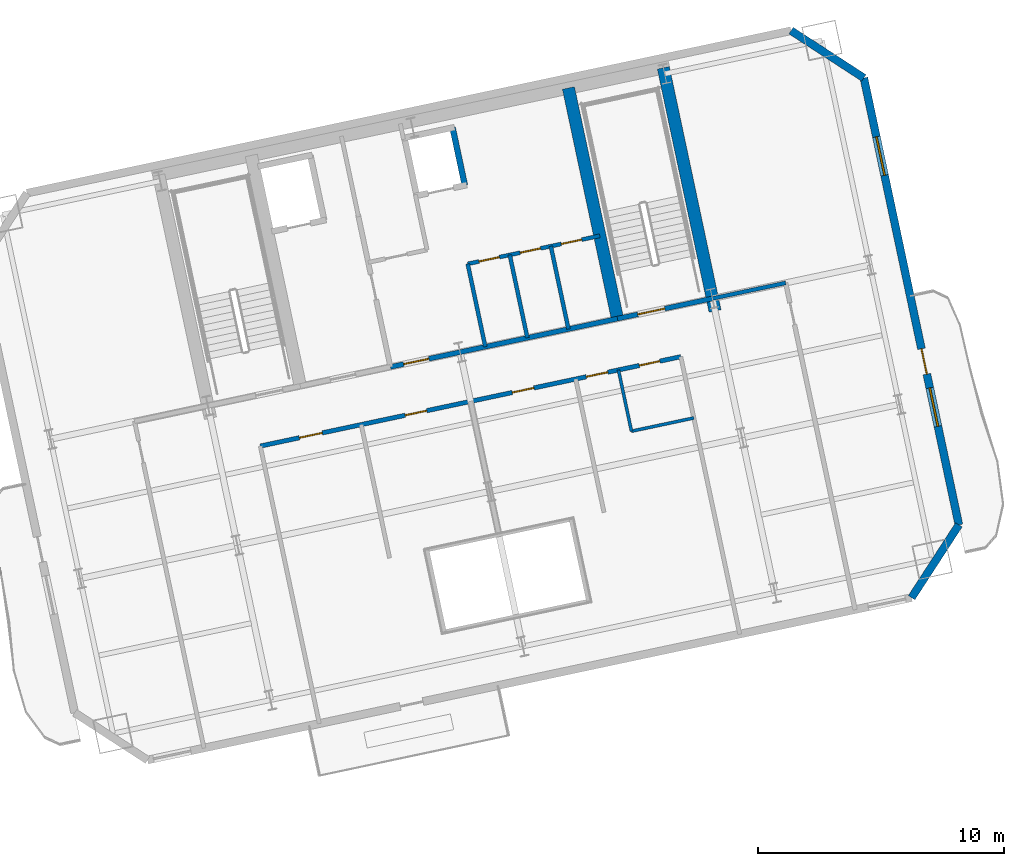
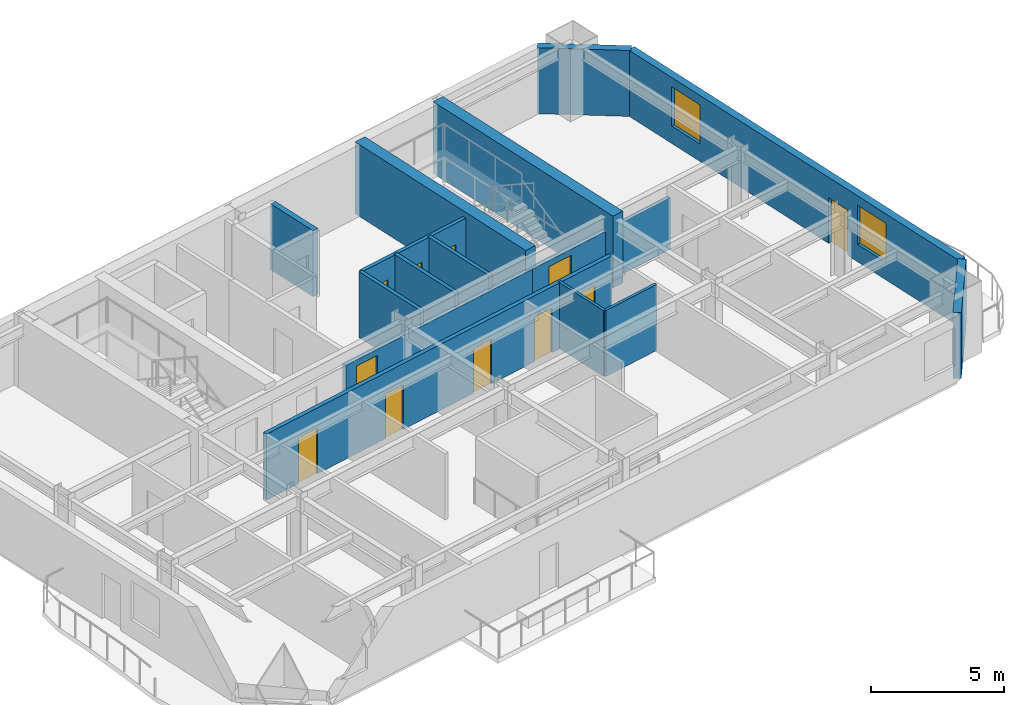
# One storey, part 9 of 14: 16 walls, 11 doors, 2 windows, 13 openings.
"""IFC4 building model written with IfcOpenShell, lengths in metres."""

from ifc_helpers import new_model, si_unit, direction, frame, frame_2d, origin, place, context, subcontext, project, spatial, rectangle, extrude, material, layer, layer_set, type_object, element, fill, save


model = new_model("IFC4")

# Units and contexts
model_context = context("Model", 3, precision=1e-05, world=origin(), true_north=direction((0.0, 1.0)))
body_context = subcontext(model_context, "Body", "Model", "MODEL_VIEW")
ifc_project = project(units=[si_unit("LENGTHUNIT", "METRE"), si_unit("AREAUNIT", "SQUARE_METRE"), si_unit("VOLUMEUNIT", "CUBIC_METRE"), si_unit("PLANEANGLEUNIT", "RADIAN"), si_unit("MASSUNIT", "GRAM", prefix="KILO")], contexts=[model_context])

# Site, building, storey
site_placement = place(None, origin())
site = spatial("IfcSite", under=ifc_project, at=site_placement, CompositionType="ELEMENT")
building_placement = place(site_placement, origin())
building = spatial("IfcBuilding", under=site, at=building_placement, Name="Haevon Station Towers", CompositionType="ELEMENT")
storey_placement = place(building_placement, frame((0.0, 0.0, 116.39990234375)))
storey = spatial("IfcBuildingStorey", under=building, at=storey_placement, Name="L31", CompositionType="ELEMENT", Elevation=116.39990234375)

# Wall, openings, doors
ifc_material_1 = material(Name="Gypsum board on steel stud", Category="steel")
ifc_layer_1 = layer(ifc_material_1, 0.179931640625)
ifc_layer_set_1 = layer_set([ifc_layer_1], Name="Gypsum board on steel stud")
wall_type_1 = type_object("IfcWallType", Name="WL-ACU180", PredefinedType="PARTITIONING", material=ifc_layer_set_1)
wall_1_placement = place(storey_placement, frame((100.890380859375, 35.801025390625, 0.0), z_axis=(0.0, 0.0, 1.0), x_axis=(0.978147538907, 0.207911981691, 0.0)))
wall_1 = element("IfcWall", 1, at=wall_1_placement, inside=storey, type_object=wall_type_1, Name="WL-T2PT-L31-18", PredefinedType="PARTITIONING", context=body_context, shape_type="SweptSolid", body=[
    extrude(rectangle(XDim=17.499755859375, YDim=0.179931640625, at=frame_2d((8.75, 0.0))), origin(), (0.0, 0.0, 1.0), 3.030029296875),
])
opening_1_placement = place(wall_1_placement, frame((1.625, 0.0, 0.0)))
opening_1 = element("IfcOpeningElement", 2, at=opening_1_placement, cuts=wall_1, Name="Opening DR-WL-T2PT-L31-18-01", PredefinedType="OPENING", context=body_context, shape_type="SweptSolid", body=[
    extrude(rectangle(XDim=0.949951171875, YDim=2.10009765625, at=frame_2d((0.47509765625, 1.050048828125))), frame((0.0, 0.099853515625, 0.0), z_axis=(0.0, -1.0, 0.0), x_axis=(1.0, 0.0, 0.0)), (0.0, 0.0, 1.0), 0.199951171875),
])
opening_2_placement = place(wall_1_placement, frame((6.02490234375, 0.0, 0.0)))
opening_2 = element("IfcOpeningElement", 3, at=opening_2_placement, cuts=wall_1, Name="Opening DR-WL-T2PT-L31-18-02", PredefinedType="OPENING", context=body_context, shape_type="SweptSolid", body=[
    extrude(rectangle(XDim=0.89990234375, YDim=2.050048828125, at=frame_2d((0.449951171875, 1.02490234375))), frame((0.0, 0.099853515625, 0.0), z_axis=(0.0, -1.0, 0.0), x_axis=(1.0, 0.0, 0.0)), (0.0, 0.0, 1.0), 0.199951171875),
])
opening_3_placement = place(wall_1_placement, frame((10.488037109375, 0.0, 0.0)))
opening_3 = element("IfcOpeningElement", 4, at=opening_3_placement, cuts=wall_1, Name="Opening DR-WL-T2PT-L31-18-03", PredefinedType="OPENING", context=body_context, shape_type="SweptSolid", body=[
    extrude(rectangle(XDim=0.89990234375, YDim=2.050048828125, at=frame_2d((0.449951171875, 1.02490234375))), frame((0.0, 0.099853515625, 0.0), z_axis=(0.0, -1.0, 0.0), x_axis=(1.0, 0.0, 0.0)), (0.0, 0.0, 1.0), 0.199951171875),
])
opening_4_placement = place(wall_1_placement, frame((15.777099609375, 0.0, 0.0)))
opening_4 = element("IfcOpeningElement", 5, at=opening_4_placement, cuts=wall_1, Name="Opening DR-WL-T2PT-L31-18-04", PredefinedType="OPENING", context=body_context, shape_type="SweptSolid", body=[
    extrude(rectangle(XDim=0.85009765625, YDim=2.050048828125, at=frame_2d((0.425048828125, 1.02490234375))), frame((0.0, 0.099853515625, 0.0), z_axis=(0.0, -1.0, 0.0), x_axis=(1.0, 0.0, 0.0)), (0.0, 0.0, 1.0), 0.199951171875),
])
opening_5_placement = place(wall_1_placement, frame((13.56494140625, 0.0, 0.0)))
opening_5 = element("IfcOpeningElement", 6, at=opening_5_placement, cuts=wall_1, Name="Opening DR-WL-T2PT-L31-18-05", PredefinedType="OPENING", context=body_context, shape_type="SweptSolid", body=[
    extrude(rectangle(XDim=0.89990234375, YDim=2.050048828125, at=frame_2d((0.449951171875, 1.02490234375))), frame((0.0, 0.099853515625, 0.0), z_axis=(0.0, -1.0, 0.0), x_axis=(1.0, 0.0, 0.0)), (0.0, 0.0, 1.0), 0.199951171875),
])
ifc_material_2 = material(Name="Engineered oak timber", Category="wood")
door_type_1 = type_object("IfcDoorType", Name="DR-FD30-850", OperationType="NOTDEFINED", PredefinedType="DOOR", material=ifc_material_2)
door_1_placement = place(opening_4_placement, origin())
door_1 = element("IfcDoor", 7, at=door_1_placement, inside=storey, type_object=door_type_1, Name="L31 Tower 2 Room Door 18-4", OperationType="SINGLE_SWING_RIGHT", OverallHeight=2.050048828125, OverallWidth=0.85009765625, PredefinedType="DOOR", context=body_context, shape_type="SweptSolid", body=[
    extrude(rectangle(XDim=0.85009765625, YDim=2.050048828125, at=frame_2d((0.425048828125, 1.02490234375))), frame((0.0, 0.02490234375, 0.0), z_axis=(0.0, -1.0, 0.0), x_axis=(1.0, 0.0, 0.0)), (0.0, 0.0, 1.0), 0.050048828125),
])
fill(opening_4, door_1)
door_type_2 = type_object("IfcDoorType", Name="DR-FD30-950", OperationType="NOTDEFINED", PredefinedType="DOOR", material=ifc_material_2)
door_2_placement = place(opening_1_placement, origin())
door_2 = element("IfcDoor", 8, at=door_2_placement, inside=storey, type_object=door_type_2, Name="L31 Tower 2 Room Door 18-1", OperationType="SINGLE_SWING_LEFT", OverallHeight=2.10009765625, OverallWidth=0.949951171875, PredefinedType="DOOR", context=body_context, shape_type="SweptSolid", body=[
    extrude(rectangle(XDim=0.949951171875, YDim=2.10009765625, at=frame_2d((0.47509765625, 1.050048828125))), frame((0.0, 0.02490234375, 0.0), z_axis=(0.0, -1.0, 0.0), x_axis=(1.0, 0.0, 0.0)), (0.0, 0.0, 1.0), 0.050048828125),
])
fill(opening_1, door_2)
door_type_3 = type_object("IfcDoorType", Name="DR-INT-900", OperationType="NOTDEFINED", PredefinedType="DOOR", material=ifc_material_2)
door_3_placement = place(opening_2_placement, origin())
door_3 = element("IfcDoor", 9, at=door_3_placement, inside=storey, type_object=door_type_3, Name="L31 Tower 2 Room Door 18-2", OperationType="SINGLE_SWING_RIGHT", OverallHeight=2.050048828125, OverallWidth=0.89990234375, PredefinedType="DOOR", context=body_context, shape_type="SweptSolid", body=[
    extrude(rectangle(XDim=0.89990234375, YDim=2.050048828125, at=frame_2d((0.449951171875, 1.02490234375))), frame((0.0, 0.02490234375, 0.0), z_axis=(0.0, -1.0, 0.0), x_axis=(1.0, 0.0, 0.0)), (0.0, 0.0, 1.0), 0.050048828125),
])
fill(opening_2, door_3)
door_4_placement = place(opening_3_placement, origin())
door_4 = element("IfcDoor", 10, at=door_4_placement, inside=storey, type_object=door_type_3, Name="L31 Tower 2 Room Door 18-3", OperationType="SINGLE_SWING_LEFT", OverallHeight=2.050048828125, OverallWidth=0.89990234375, PredefinedType="DOOR", context=body_context, shape_type="SweptSolid", body=[
    extrude(rectangle(XDim=0.89990234375, YDim=2.050048828125, at=frame_2d((0.449951171875, 1.02490234375))), frame((0.0, 0.02490234375, 0.0), z_axis=(0.0, -1.0, 0.0), x_axis=(1.0, 0.0, 0.0)), (0.0, 0.0, 1.0), 0.050048828125),
])
fill(opening_3, door_4)
door_5_placement = place(opening_5_placement, origin())
door_5 = element("IfcDoor", 11, at=door_5_placement, inside=storey, type_object=door_type_3, Name="L31 Tower 2 Room Door 18-5", OperationType="SINGLE_SWING_LEFT", OverallHeight=2.050048828125, OverallWidth=0.89990234375, PredefinedType="DOOR", context=body_context, shape_type="SweptSolid", body=[
    extrude(rectangle(XDim=0.89990234375, YDim=2.050048828125, at=frame_2d((0.449951171875, 1.02490234375))), frame((0.0, 0.02490234375, 0.0), z_axis=(0.0, -1.0, 0.0), x_axis=(1.0, 0.0, 0.0)), (0.0, 0.0, 1.0), 0.050048828125),
])
fill(opening_5, door_5)

# Wall, opening, door
ifc_layer_2 = layer(ifc_material_1, 0.199951171875)
ifc_layer_set_2 = layer_set([ifc_layer_2], Name="Gypsum board on steel stud")
wall_type_2 = type_object("IfcWallType", Name="WL-COR200", PredefinedType="PARTITIONING", material=ifc_layer_set_2)
wall_2_placement = place(storey_placement, frame((115.4296875, 40.9873046875, 0.0), z_axis=(0.0, 0.0, 1.0), x_axis=(0.978146596989, 0.207916413008, 0.0)))
wall_2 = element("IfcWall", 12, at=wall_2_placement, inside=storey, type_object=wall_type_2, Name="WL-ST-ST4-L31", PredefinedType="PARTITIONING", context=body_context, shape_type="SweptSolid", body=[
    extrude(rectangle(XDim=3.9501953125, YDim=0.199951171875, at=frame_2d((1.97509765625, 0.0))), origin(), (0.0, 0.0, 1.0), 2.380126953125),
])
opening_6_placement = place(wall_2_placement, frame((0.85009765625, 0.0, 0.0)))
opening_6 = element("IfcOpeningElement", 13, at=opening_6_placement, cuts=wall_2, Name="Opening DR-ST-ST4-L31", PredefinedType="OPENING", context=body_context, shape_type="SweptSolid", body=[
    extrude(rectangle(XDim=1.1201171875, YDim=2.10009765625, at=frame_2d((0.56005859375, 1.050048828125))), frame((0.0, 0.10986328125, 0.0), z_axis=(0.0, -1.0, 0.0), x_axis=(1.0, 0.0, 0.0)), (0.0, 0.0, 1.0), 0.219970703125),
])
door_type_4 = type_object("IfcDoorType", Name="DR-ST-1120", OperationType="NOTDEFINED", PredefinedType="DOOR", material=ifc_material_2)
door_6_placement = place(opening_6_placement, origin())
door_6 = element("IfcDoor", 14, at=door_6_placement, inside=storey, type_object=door_type_4, Name="L31 Escape Stair ST4 Fire Door", OperationType="SINGLE_SWING_RIGHT", OverallHeight=2.10009765625, OverallWidth=1.1201171875, PredefinedType="DOOR", context=body_context, shape_type="SweptSolid", body=[
    extrude(rectangle(XDim=1.1201171875, YDim=2.10009765625, at=frame_2d((0.56005859375, 1.050048828125))), frame((0.0, 0.02490234375, 0.0), z_axis=(0.0, -1.0, 0.0), x_axis=(1.0, 0.0, 0.0)), (0.0, 0.0, 1.0), 0.050048828125),
])
fill(opening_6, door_6)

wall_3_placement = place(storey_placement, frame((106.186279296875, 39.0224609375, 0.0), z_axis=(0.0, 0.0, 1.0), x_axis=(0.978145519981, 0.20792147975, 0.0)))
wall_3 = element("IfcWall", 15, at=wall_3_placement, inside=storey, type_object=wall_type_2, Name="WL-T2CLB-L31", PredefinedType="PARTITIONING", context=body_context, shape_type="SweptSolid", body=[
    extrude(rectangle(XDim=9.449951171875, YDim=0.199951171875, at=frame_2d((4.72509765625, 0.0))), origin(), (0.0, 0.0, 1.0), 2.380126953125),
])
opening_7_placement = place(wall_3_placement, frame((0.550048828125, 0.0, 0.0)))
opening_7 = element("IfcOpeningElement", 16, at=opening_7_placement, cuts=wall_3, Name="Opening DR-T2CLB-L31-1", PredefinedType="OPENING", context=body_context, shape_type="SweptSolid", body=[
    extrude(rectangle(XDim=1.050048828125, YDim=2.10009765625, at=frame_2d((0.52490234375, 1.050048828125))), frame((0.0, 0.10986328125, 0.0), z_axis=(0.0, -1.0, 0.0), x_axis=(1.0, 0.0, 0.0)), (0.0, 0.0, 1.0), 0.219970703125),
])
door_type_5 = type_object("IfcDoorType", Name="DR-FD60-1050", OperationType="NOTDEFINED", PredefinedType="DOOR", material=ifc_material_2)
door_7_placement = place(opening_7_placement, origin())
door_7 = element("IfcDoor", 17, at=door_7_placement, inside=storey, type_object=door_type_5, Name="L31 Tower 2 Core Lift Lobby Door 1", OperationType="SINGLE_SWING_LEFT", OverallHeight=2.10009765625, OverallWidth=1.050048828125, PredefinedType="DOOR", context=body_context, shape_type="SweptSolid", body=[
    extrude(rectangle(XDim=1.050048828125, YDim=2.10009765625, at=frame_2d((0.52490234375, 1.050048828125))), frame((0.0, 0.02490234375, 0.0), z_axis=(0.0, -1.0, 0.0), x_axis=(1.0, 0.0, 0.0)), (0.0, 0.0, 1.0), 0.050048828125),
])
fill(opening_7, door_7)

# Walls
ifc_material_3 = material(Name="Concrete C60/75", Category="concrete")
ifc_layer_3 = layer(ifc_material_3, 0.5)
ifc_layer_set_3 = layer_set([ifc_layer_3], Name="Concrete C60/75")
wall_type_3 = type_object("IfcWallType", Name="WL-CR500", PredefinedType="SHEAR", material=ifc_layer_set_3)
wall_4_placement = place(storey_placement, frame((119.401611328125, 41.2998046875, 0.0), z_axis=(0.0, 0.0, 1.0), x_axis=(-0.207904342798, 0.978149162575, 0.0)))
element("IfcWall", 18, at=wall_4_placement, inside=storey, type_object=wall_type_3, Name="WL-T2CR-L31-E", PredefinedType="SHEAR", context=body_context, shape_type="SweptSolid", body=[
    extrude(rectangle(XDim=10.1201171875, YDim=0.5, at=frame_2d((5.06005859375, 0.0))), origin(), (0.0, 0.0, 1.0), 3.300048828125),
])
wall_5_placement = place(storey_placement, frame((115.4296875, 40.9873046875, 0.0), z_axis=(0.0, 0.0, 1.0), x_axis=(-0.207903162969, 0.978149413345, 0.0)))
element("IfcWall", 19, at=wall_5_placement, inside=storey, type_object=wall_type_3, Name="WL-T2CR-L31-M2", PredefinedType="SHEAR", context=body_context, shape_type="SweptSolid", body=[
    extrude(rectangle(XDim=9.599853515625, YDim=0.5, at=frame_2d((4.7998046875, 0.0))), origin(), (0.0, 0.0, 1.0), 3.300048828125),
])
ifc_material_4 = material(Name="Precast concrete C45/55", Category="concrete")
ifc_layer_4 = layer(ifc_material_4, 0.320068359375)
ifc_layer_set_4 = layer_set([ifc_layer_4], Name="Precast concrete C45/55")
wall_type_4 = type_object("IfcWallType", Name="WL-EXT-PIER320", PredefinedType="SOLIDWALL", material=ifc_layer_set_4)
wall_6_placement = place(storey_placement, frame((122.496337890625, 52.712646484375, 0.0), z_axis=(0.0, 0.0, 1.0), x_axis=(0.838672309694, -0.544636352948, 0.0)))
element("IfcWall", 20, at=wall_6_placement, inside=storey, type_object=wall_type_4, Name="WL-T2-L31-NEC", PredefinedType="SOLIDWALL", context=body_context, shape_type="SweptSolid", body=[
    extrude(rectangle(XDim=3.535400390625, YDim=0.320068359375, at=frame_2d((1.767578125, 0.0))), origin(), (0.0, 0.0, 1.0), 3.030029296875),
])

# Wall, openings, door, windows
wall_7_placement = place(storey_placement, frame((125.46142578125, 50.787109375, 0.0), z_axis=(0.0, 0.0, 1.0), x_axis=(0.207912600897, -0.97814740729, 0.0)))
wall_7 = element("IfcWall", 21, at=wall_7_placement, inside=storey, type_object=wall_type_4, Name="WL-T2-L31-E", PredefinedType="SOLIDWALL", context=body_context, shape_type="SweptSolid", body=[
    extrude(rectangle(XDim=18.60009765625, YDim=0.320068359375, at=frame_2d((9.300048828125, 0.0))), origin(), (0.0, 0.0, 1.0), 3.030029296875),
])
opening_8_placement = place(wall_7_placement, frame((11.27490234375, 0.0, 0.0)))
opening_8 = element("IfcOpeningElement", 22, at=opening_8_placement, cuts=wall_7, Name="Opening DR-T2-SCAL-L31-E", PredefinedType="OPENING", context=body_context, shape_type="SweptSolid", body=[
    extrude(rectangle(XDim=1.050048828125, YDim=2.10009765625, at=frame_2d((0.52490234375, 1.050048828125))), frame((0.0, 0.169921875, 0.0), z_axis=(0.0, -1.0, 0.0), x_axis=(1.0, 0.0, 0.0)), (0.0, 0.0, 1.0), 0.340087890625),
])
opening_9_placement = place(wall_7_placement, frame((2.449951171875, 0.0, 0.800048828125)))
opening_9 = element("IfcOpeningElement", 23, at=opening_9_placement, cuts=wall_7, Name="Opening WN-END160", PredefinedType="OPENING", context=body_context, shape_type="SweptSolid", body=[
    extrude(rectangle(XDim=1.60009765625, YDim=1.800048828125, at=frame_2d((0.800048828125, 0.89990234375))), frame((0.0, 0.169921875, 0.0), z_axis=(0.0, -1.0, 0.0), x_axis=(1.0, 0.0, 0.0)), (0.0, 0.0, 1.0), 0.340087890625),
])
opening_10_placement = place(wall_7_placement, frame((12.89990234375, 0.0, 0.800048828125)))
opening_10 = element("IfcOpeningElement", 24, at=opening_10_placement, cuts=wall_7, Name="Opening WN-END160", PredefinedType="OPENING", context=body_context, shape_type="SweptSolid", body=[
    extrude(rectangle(XDim=1.60009765625, YDim=1.800048828125, at=frame_2d((0.800048828125, 0.89990234375))), frame((0.0, 0.169921875, 0.0), z_axis=(0.0, -1.0, 0.0), x_axis=(1.0, 0.0, 0.0)), (0.0, 0.0, 1.0), 0.340087890625),
])
ifc_material_5 = material(Name="Thermally broken anodised aluminium and laminated safety glass", Category="aluminium")
door_type_6 = type_object("IfcDoorType", Name="DR-BALC-1050", OperationType="NOTDEFINED", PredefinedType="DOOR", material=ifc_material_5)
door_8_placement = place(opening_8_placement, origin())
door_8 = element("IfcDoor", 25, at=door_8_placement, inside=storey, type_object=door_type_6, Name="Tower 2 L31 East Scalloped Balcony Door", OperationType="SINGLE_SWING_LEFT", OverallHeight=2.10009765625, OverallWidth=1.050048828125, PredefinedType="DOOR", context=body_context, shape_type="SweptSolid", body=[
    extrude(rectangle(XDim=1.050048828125, YDim=2.10009765625, at=frame_2d((0.52490234375, 1.050048828125))), frame((0.0, 0.02490234375, 0.0), z_axis=(0.0, -1.0, 0.0), x_axis=(1.0, 0.0, 0.0)), (0.0, 0.0, 1.0), 0.050048828125),
])
fill(opening_8, door_8)
ifc_material_6 = material(Name="Low-E triple glazing in thermally broken aluminium", Category="aluminium")
window_type = type_object("IfcWindowType", Name="WN-END160", PartitioningType="SINGLE_PANEL", PredefinedType="WINDOW", material=ifc_material_6)
window_1_placement = place(opening_9_placement, origin())
window_1 = element("IfcWindow", 26, at=window_1_placement, inside=storey, type_object=window_type, Name="WN-T2-L31-E01", OverallHeight=1.800048828125, OverallWidth=1.60009765625, PartitioningType="SINGLE_PANEL", PredefinedType="WINDOW", context=body_context, shape_type="SweptSolid", body=[
    extrude(rectangle(XDim=1.60009765625, YDim=1.800048828125, at=frame_2d((0.800048828125, 0.89990234375))), frame((0.0, 0.030029296875, 0.0), z_axis=(0.0, -1.0, 0.0), x_axis=(1.0, 0.0, 0.0)), (0.0, 0.0, 1.0), 0.06005859375),
])
fill(opening_9, window_1)
window_2_placement = place(opening_10_placement, origin())
window_2 = element("IfcWindow", 27, at=window_2_placement, inside=storey, type_object=window_type, Name="WN-T2-L31-E02", OverallHeight=1.800048828125, OverallWidth=1.60009765625, PartitioningType="SINGLE_PANEL", PredefinedType="WINDOW", context=body_context, shape_type="SweptSolid", body=[
    extrude(rectangle(XDim=1.60009765625, YDim=1.800048828125, at=frame_2d((0.800048828125, 0.89990234375))), frame((0.0, 0.030029296875, 0.0), z_axis=(0.0, -1.0, 0.0), x_axis=(1.0, 0.0, 0.0)), (0.0, 0.0, 1.0), 0.06005859375),
])
fill(opening_10, window_2)

# Walls
wall_8_placement = place(storey_placement, frame((129.32861328125, 32.593505859375, 0.0), z_axis=(0.0, 0.0, 1.0), x_axis=(-0.544636352948, -0.838672309694, 0.0)))
element("IfcWall", 28, at=wall_8_placement, inside=storey, type_object=wall_type_4, Name="WL-T2-L31-SEC", PredefinedType="SOLIDWALL", context=body_context, shape_type="SweptSolid", body=[
    extrude(rectangle(XDim=3.535400390625, YDim=0.320068359375, at=frame_2d((1.767578125, 0.0))), origin(), (0.0, 0.0, 1.0), 3.030029296875),
])
ifc_layer_5 = layer(ifc_material_1, 0.125)
ifc_layer_set_5 = layer_set([ifc_layer_5], Name="Gypsum board on steel stud")
wall_type_5 = type_object("IfcWallType", Name="WL-PRT125", PredefinedType="PARTITIONING", material=ifc_layer_set_5)
wall_9_placement = place(storey_placement, frame((115.999755859375, 36.40576171875, 0.0), z_axis=(0.0, 0.0, 1.0), x_axis=(0.97814665502, 0.207916140001, 0.0)))
element("IfcWall", 29, at=wall_9_placement, inside=storey, type_object=wall_type_5, Name="WL-T2PT-L31-16", PredefinedType="PARTITIONING", context=body_context, shape_type="SweptSolid", body=[
    extrude(rectangle(XDim=2.594970703125, YDim=0.125, at=frame_2d((1.29736328125, 0.0))), origin(), (0.0, 0.0, 1.0), 3.030029296875),
])
wall_10_placement = place(storey_placement, frame((115.999755859375, 36.40576171875, 0.0), z_axis=(0.0, 0.0, 1.0), x_axis=(-0.207867916886, 0.978156904147, 0.0)))
element("IfcWall", 30, at=wall_10_placement, inside=storey, type_object=wall_type_5, Name="WL-T2PT-L31-17", PredefinedType="PARTITIONING", context=body_context, shape_type="SweptSolid", body=[
    extrude(rectangle(XDim=2.5498046875, YDim=0.125, at=frame_2d((1.27490234375, 0.0))), origin(), (0.0, 0.0, 1.0), 3.030029296875),
])
ifc_layer_6 = layer(ifc_material_1, 0.159912109375)
ifc_layer_set_6 = layer_set([ifc_layer_6], Name="Gypsum board on steel stud")
wall_type_6 = type_object("IfcWallType", Name="WL-PRT160", PredefinedType="PARTITIONING", material=ifc_layer_set_6)
for number, where, z_axis, x_axis, name in (
    (31, (110.050048828125, 39.84375, 0.0), (0.0, 0.0, 1.0), (-0.207900225061, 0.978150037785, 0.0), "WL-T2CW-L31-05"),
    (32, (111.76171875, 40.20751953125, 0.0), (0.0, 0.0, 1.0), (-0.207900225061, 0.978150037785, 0.0), "WL-T2CW-L31-06"),
):
    element("IfcWall", number, at=place(storey_placement, frame(where, z_axis=z_axis, x_axis=x_axis)), inside=storey, type_object=wall_type_6, Name=name, PredefinedType="PARTITIONING", context=body_context, shape_type="SweptSolid", body=[
        extrude(rectangle(XDim=3.4501953125, YDim=0.159912109375, at=frame_2d((1.72509765625, 0.0))), origin(), (0.0, 0.0, 1.0), 3.030029296875),
    ])
wall_11_placement = place(storey_placement, frame((113.434326171875, 40.563232421875, 0.0), z_axis=(0.0, 0.0, 1.0), x_axis=(-0.207914616127, 0.978146978935, 0.0)))
element("IfcWall", 33, at=wall_11_placement, inside=storey, type_object=wall_type_6, Name="WL-T2CW-L31-07", PredefinedType="PARTITIONING", context=body_context, shape_type="SweptSolid", body=[
    extrude(rectangle(XDim=3.449951171875, YDim=0.159912109375, at=frame_2d((1.72509765625, 0.0))), origin(), (0.0, 0.0, 1.0), 3.030029296875),
])

# Wall, openings, doors
wall_12_placement = place(storey_placement, frame((109.332763671875, 43.218505859375, 0.0), z_axis=(0.0, 0.0, 1.0), x_axis=(0.978153773776, 0.207882646816, 0.0)))
wall_12 = element("IfcWall", 34, at=wall_12_placement, inside=storey, type_object=wall_type_6, Name="WL-T2CW-L31-08", PredefinedType="PARTITIONING", context=body_context, shape_type="SweptSolid", body=[
    extrude(rectangle(XDim=5.499755859375, YDim=0.159912109375, at=frame_2d((2.75, 0.0))), origin(), (0.0, 0.0, 1.0), 3.030029296875),
])
opening_11_placement = place(wall_12_placement, frame((0.469970703125, 0.0, 0.0)))
opening_11 = element("IfcOpeningElement", 35, at=opening_11_placement, cuts=wall_12, Name="Opening DR-WL-T2CW-L31-08-1", PredefinedType="OPENING", context=body_context, shape_type="SweptSolid", body=[
    extrude(rectangle(XDim=0.85009765625, YDim=2.050048828125, at=frame_2d((0.425048828125, 1.02490234375))), frame((0.0, 0.08984375, 0.0), z_axis=(0.0, -1.0, 0.0), x_axis=(1.0, 0.0, 0.0)), (0.0, 0.0, 1.0), 0.179931640625),
])
opening_12_placement = place(wall_12_placement, frame((2.179931640625, 0.0, 0.0)))
opening_12 = element("IfcOpeningElement", 36, at=opening_12_placement, cuts=wall_12, Name="Opening DR-WL-T2CW-L31-08-2", PredefinedType="OPENING", context=body_context, shape_type="SweptSolid", body=[
    extrude(rectangle(XDim=0.85009765625, YDim=2.050048828125, at=frame_2d((0.425048828125, 1.02490234375))), frame((0.0, 0.08984375, 0.0), z_axis=(0.0, -1.0, 0.0), x_axis=(1.0, 0.0, 0.0)), (0.0, 0.0, 1.0), 0.179931640625),
])
opening_13_placement = place(wall_12_placement, frame((3.89501953125, 0.0, 0.0)))
opening_13 = element("IfcOpeningElement", 37, at=opening_13_placement, cuts=wall_12, Name="Opening DR-WL-T2CW-L31-08-3", PredefinedType="OPENING", context=body_context, shape_type="SweptSolid", body=[
    extrude(rectangle(XDim=0.85009765625, YDim=2.050048828125, at=frame_2d((0.425048828125, 1.02490234375))), frame((0.0, 0.08984375, 0.0), z_axis=(0.0, -1.0, 0.0), x_axis=(1.0, 0.0, 0.0)), (0.0, 0.0, 1.0), 0.179931640625),
])
door_9_placement = place(opening_11_placement, origin())
door_9 = element("IfcDoor", 38, at=door_9_placement, inside=storey, type_object=door_type_1, Name="L31 Tower 2 Core Room Door 8-1", OperationType="SINGLE_SWING_RIGHT", OverallHeight=2.050048828125, OverallWidth=0.85009765625, PredefinedType="DOOR", context=body_context, shape_type="SweptSolid", body=[
    extrude(rectangle(XDim=0.85009765625, YDim=2.050048828125, at=frame_2d((0.425048828125, 1.02490234375))), frame((0.0, 0.02490234375, 0.0), z_axis=(0.0, -1.0, 0.0), x_axis=(1.0, 0.0, 0.0)), (0.0, 0.0, 1.0), 0.050048828125),
])
fill(opening_11, door_9)
door_10_placement = place(opening_12_placement, origin())
door_10 = element("IfcDoor", 39, at=door_10_placement, inside=storey, type_object=door_type_1, Name="L31 Tower 2 Core Room Door 8-2", OperationType="SINGLE_SWING_LEFT", OverallHeight=2.050048828125, OverallWidth=0.85009765625, PredefinedType="DOOR", context=body_context, shape_type="SweptSolid", body=[
    extrude(rectangle(XDim=0.85009765625, YDim=2.050048828125, at=frame_2d((0.425048828125, 1.02490234375))), frame((0.0, 0.02490234375, 0.0), z_axis=(0.0, -1.0, 0.0), x_axis=(1.0, 0.0, 0.0)), (0.0, 0.0, 1.0), 0.050048828125),
])
fill(opening_12, door_10)
door_11_placement = place(opening_13_placement, origin())
door_11 = element("IfcDoor", 40, at=door_11_placement, inside=storey, type_object=door_type_1, Name="L31 Tower 2 Core Room Door 8-3", OperationType="SINGLE_SWING_RIGHT", OverallHeight=2.050048828125, OverallWidth=0.85009765625, PredefinedType="DOOR", context=body_context, shape_type="SweptSolid", body=[
    extrude(rectangle(XDim=0.85009765625, YDim=2.050048828125, at=frame_2d((0.425048828125, 1.02490234375))), frame((0.0, 0.02490234375, 0.0), z_axis=(0.0, -1.0, 0.0), x_axis=(1.0, 0.0, 0.0)), (0.0, 0.0, 1.0), 0.050048828125),
])
fill(opening_13, door_11)

# Walls
wall_13_placement = place(storey_placement, frame((119.29345703125, 41.80859375, 0.0), z_axis=(0.0, 0.0, 1.0), x_axis=(0.978154782045, 0.207877902534, 0.0)))
element("IfcWall", 41, at=wall_13_placement, inside=storey, type_object=wall_type_6, Name="WL-T2PT-L31-04", PredefinedType="PARTITIONING", context=body_context, shape_type="SweptSolid", body=[
    extrude(rectangle(XDim=3.050048828125, YDim=0.159912109375, at=frame_2d((1.52490234375, 0.0))), origin(), (0.0, 0.0, 1.0), 2.380126953125),
])
ifc_material_7 = material(Name="Concrete C40/50", Category="concrete")
ifc_layer_7 = layer(ifc_material_7, 0.239990234375)
ifc_layer_set_7 = layer_set([ifc_layer_7], Name="Concrete C40/50")
wall_type_7 = type_object("IfcWallType", Name="WL-SHF240", PredefinedType="PARTITIONING", material=ifc_layer_set_7)
wall_14_placement = place(storey_placement, frame((109.2158203125, 46.413818359375, 0.0), z_axis=(0.0, 0.0, 1.0), x_axis=(-0.207917150959, 0.978146440129, 0.0)))
element("IfcWall", 42, at=wall_14_placement, inside=storey, type_object=wall_type_7, Name="WL-SHF-PL8-L31-E", PredefinedType="PARTITIONING", context=body_context, shape_type="SweptSolid", body=[
    extrude(rectangle(XDim=2.400146484375, YDim=0.239990234375, at=frame_2d((1.2001953125, 0.0))), origin(), (0.0, 0.0, 1.0), 3.030029296875),
])

save(model, "model.ifc")
